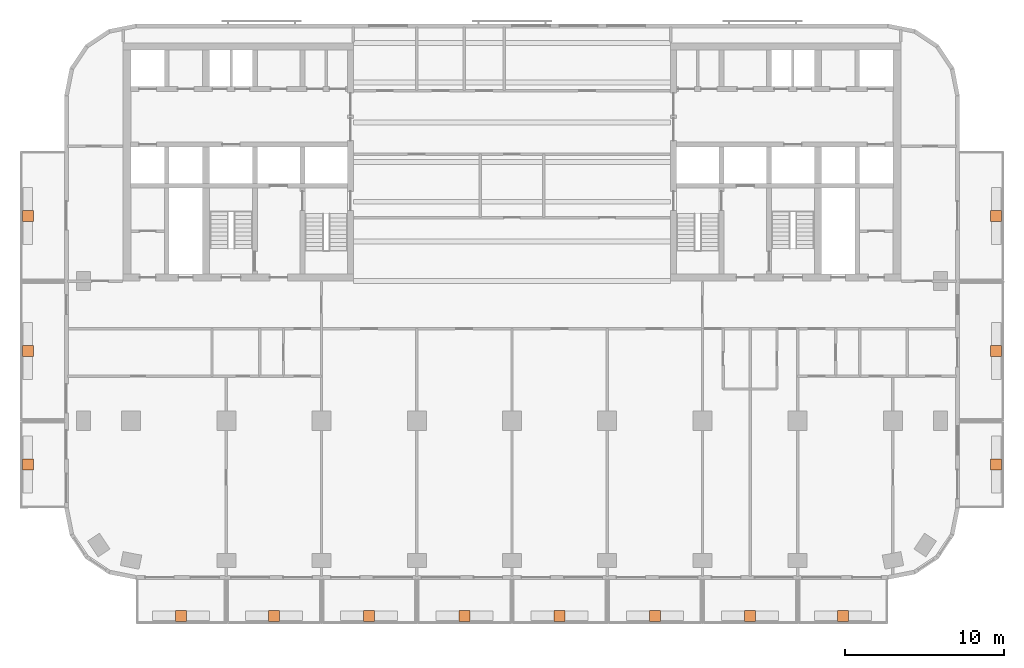
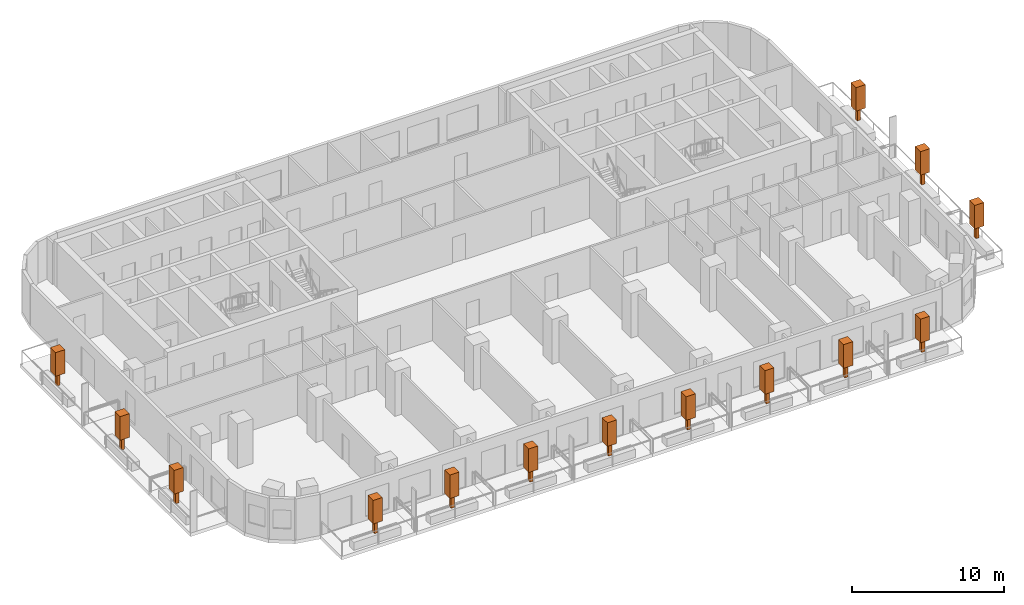
# One storey, part 12 of 12: 14 geographic elements.
"""IFC4 building model written with IfcOpenShell, lengths in metres."""

import ifcopenshell
import ifcopenshell.guid

model = None  # the IFC model being written
_history = None  # IfcOwnerHistory: only IFC2X3 demands one
_inside = {}  # id of a spatial element -> (the spatial element, [elements in it])
_under = {}  # id of a project, library or spatial element -> (it, [spatial elements below it])
_declared = {}  # id of a project -> (the project, [libraries it declares])
_typed = {}  # id of a type object -> (the type object, [elements of that type])
_made_of = {}  # id of a material, layer set ... -> (it, [elements and type objects made of it])


def new_model(schema):
    """Start an empty IFC model of exactly this schema.

    Asked for "IFC4X3", IfcOpenShell would pick the latest addendum, in which some entities
    have other attributes; the version numbers below select the first issue.
    IFC2X3 requires an IfcOwnerHistory on every rooted entity: one is made here for all.
    """
    global model, _history
    if schema == "IFC4X3":
        model = ifcopenshell.file(schema_version=(4, 3, 0, 0))
    else:
        model = ifcopenshell.file(schema=schema)
    _inside.clear()
    _under.clear()
    _declared.clear()
    _typed.clear()
    _made_of.clear()
    _history = None
    if model.schema == "IFC2X3":
        org = make("IfcOrganization", Name="unknown")
        user = make(
            "IfcPersonAndOrganization",
            ThePerson=make("IfcPerson", FamilyName="unknown"),
            TheOrganization=org,
        )
        app = make(
            "IfcApplication",
            ApplicationDeveloper=org,
            Version="unknown",
            ApplicationFullName="unknown",
            ApplicationIdentifier="unknown",
        )
        _history = make(
            "IfcOwnerHistory",
            OwningUser=user,
            OwningApplication=app,
            ChangeAction="ADDED",
            CreationDate=0,
        )
    return model


def make(cls, **values):
    """One entity of the class cls with the attributes given. An attribute that is None is left unset."""
    return model.create_entity(
        cls, **{name: value for name, value in values.items() if value is not None}
    )


def rooted(cls, **values):
    """An entity with a GlobalId (a new one), such as an element, a storey or a relation."""
    return make(cls, GlobalId=ifcopenshell.guid.new(), OwnerHistory=_history, **values)


def si_unit(unit_type, name, prefix=None):
    """IfcSIUnit, for example si_unit("LENGTHUNIT", "METRE", prefix="MILLI")."""
    return make("IfcSIUnit", UnitType=unit_type, Prefix=prefix, Name=name)


def assignment(units):
    """IfcUnitAssignment: the units of a project."""
    return None if units is None else make("IfcUnitAssignment", Units=units)


def point(xyz):
    """IfcCartesianPoint."""
    return None if xyz is None else make("IfcCartesianPoint", Coordinates=xyz)


def direction(xyz):
    """IfcDirection."""
    return None if xyz is None else make("IfcDirection", DirectionRatios=xyz)


def frame(location, z_axis=None, x_axis=None):
    """IfcAxis2Placement3D, a coordinate frame: its origin and axes. An axis left out is left unset."""
    return make(
        "IfcAxis2Placement3D",
        Location=point(location),
        Axis=direction(z_axis),
        RefDirection=direction(x_axis),
    )


def frame_2d(location, x_axis=None):
    """IfcAxis2Placement2D, a coordinate frame in the plane: its origin and x axis."""
    return make(
        "IfcAxis2Placement2D", Location=point(location), RefDirection=direction(x_axis)
    )


def origin():
    """The frame at (0, 0, 0) with its axes left unset."""
    return frame((0.0, 0.0, 0.0))


def origin_2d():
    """The frame at (0, 0) in the plane with its x axis left unset."""
    return frame_2d((0.0, 0.0))


def place(relative_to, where):
    """IfcLocalPlacement: puts the frame where relative to a parent placement (None: the world)."""
    return make(
        "IfcLocalPlacement", PlacementRelTo=relative_to, RelativePlacement=where
    )


def context(
    kind, dimensions, precision=None, world=None, true_north=None, identifier=None
):
    """IfcGeometricRepresentationContext, for example the 3D "Model" context."""
    return make(
        "IfcGeometricRepresentationContext",
        ContextIdentifier=identifier,
        ContextType=kind,
        CoordinateSpaceDimension=dimensions,
        Precision=precision,
        WorldCoordinateSystem=world,
        TrueNorth=true_north,
    )


def subcontext(parent, identifier, kind, view, scale=None):
    """IfcGeometricRepresentationSubContext, for example "Body" below "Model"."""
    return make(
        "IfcGeometricRepresentationSubContext",
        ContextIdentifier=identifier,
        ContextType=kind,
        ParentContext=parent,
        TargetScale=scale,
        TargetView=view,
    )


def project(units=None, contexts=None):
    """IfcProject with its units and contexts."""
    return rooted(
        "IfcProject",
        Name="project",
        RepresentationContexts=contexts,
        UnitsInContext=assignment(units),
    )


def spatial(cls, under=None, at=None, **own):
    """A site, building, storey or space (cls), placed at a placement, below another one or the project."""
    s = rooted(cls, ObjectPlacement=at, **own)
    if under is not None:
        _under.setdefault(under.id(), (under, []))[1].append(s)
    return s


def profile(cls, at=None, kind="AREA", **sizes):
    """A parametric profile (cls). Its sizes go by their IFC names, for example OverallWidth=200.0."""
    return make(cls, ProfileType=kind, Position=at, **sizes)


def rectangle(**sizes):
    """IfcRectangleProfileDef."""
    return profile("IfcRectangleProfileDef", **sizes)


def extrude(swept, where, along, depth):
    """IfcExtrudedAreaSolid: the profile swept, set in the frame where, extruded along a direction by depth."""
    return make(
        "IfcExtrudedAreaSolid",
        SweptArea=swept,
        Position=where,
        ExtrudedDirection=direction(along),
        Depth=depth,
    )


def shape(context_of_items, identifier, shape_type, items):
    """IfcShapeRepresentation: the items that make up one representation, for example the "Body"."""
    return make(
        "IfcShapeRepresentation",
        ContextOfItems=context_of_items,
        RepresentationIdentifier=identifier,
        RepresentationType=shape_type,
        Items=items,
    )


def material(Name=None, Category=None):
    """IfcMaterial."""
    return make("IfcMaterial", Name=Name, Category=Category)


def made_of(thing, what):
    """Note that an element or type object is made of a material, layer set ...; save() writes the relation."""
    if what is not None:
        _made_of.setdefault(what.id(), (what, []))[1].append(thing)
    return thing


def element(
    cls,
    number,
    at=None,
    inside=None,
    cuts=None,
    type_object=None,
    material=None,
    context=None,
    identifier="Body",
    shape_type=None,
    held_by="IfcProductDefinitionShape",
    body=None,
    shapes=None,
    **own,
):
    """One element of the class cls, such as IfcWall. Its Tag is "e" and its number.

    at: its placement. inside: the storey or other place that contains it. cuts: it is an
    opening in that element (IfcRelVoidsElement). A single representation is given by context,
    identifier, shape_type and body (its items); several are given by shapes. held_by: the class
    of the entity that holds the representations. save() writes the other relations.
    """
    e = rooted(cls, Tag="e%d" % number, ObjectPlacement=at, **own)
    if body is not None:
        shapes = [shape(context, identifier, shape_type, body)]
    if shapes is not None:
        e.Representation = make(held_by, Representations=shapes)
    if inside is not None:
        _inside.setdefault(inside.id(), (inside, []))[1].append(e)
    if cuts is not None:
        rooted(
            "IfcRelVoidsElement", RelatingBuildingElement=cuts, RelatedOpeningElement=e
        )
    if type_object is not None:
        _typed.setdefault(type_object.id(), (type_object, []))[1].append(e)
    return made_of(e, material)


def aggregate(whole, parts):
    """IfcRelAggregates: a whole, such as a stair, and the parts it consists of."""
    return rooted("IfcRelAggregates", RelatingObject=whole, RelatedObjects=parts)


def save(model, path):
    """Write the relations noted so far, then the file.

    IfcRelAggregates (storeys below a building ...), IfcRelContainedInSpatialStructure (elements
    in a storey), IfcRelDefinesByType, IfcRelAssociatesMaterial and IfcRelDeclares: one each for
    every whole, place, type object, material and project.
    """
    for whole, parts in _under.values():
        aggregate(whole, parts)
    for where, things in _inside.values():
        rooted(
            "IfcRelContainedInSpatialStructure",
            RelatedElements=things,
            RelatingStructure=where,
        )
    for kind, things in _typed.values():
        rooted("IfcRelDefinesByType", RelatedObjects=things, RelatingType=kind)
    for what, things in _made_of.values():
        rooted("IfcRelAssociatesMaterial", RelatedObjects=things, RelatingMaterial=what)
    for by, libraries in _declared.values():
        rooted("IfcRelDeclares", RelatingContext=by, RelatedDefinitions=libraries)
    model.write(path)


model = new_model("IFC4")

# Units and contexts
model_context = context("Model", 3, precision=1e-05, world=origin(), true_north=direction((0.0, 1.0)))
body_context = subcontext(model_context, "Body", "Model", "MODEL_VIEW")
ifc_project = project(units=[si_unit("LENGTHUNIT", "METRE"), si_unit("AREAUNIT", "SQUARE_METRE"), si_unit("VOLUMEUNIT", "CUBIC_METRE"), si_unit("PLANEANGLEUNIT", "RADIAN"), si_unit("MASSUNIT", "GRAM", prefix="KILO")], contexts=[model_context])

# Site, building, storey
site_placement = place(None, origin())
site = spatial("IfcSite", under=ifc_project, at=site_placement, CompositionType="ELEMENT")
building_placement = place(site_placement, origin())
building = spatial("IfcBuilding", under=site, at=building_placement, Name="Torana Hotel and Residences", CompositionType="ELEMENT")
storey_placement = place(building_placement, frame((0.0, 0.0, 159.60009765625)))
storey = spatial("IfcBuildingStorey", under=building, at=storey_placement, Name="L41", CompositionType="ELEMENT", Elevation=159.60009765625)

# Geographic elements
ifc_material = material(Name="Foliage", Category="planting")
for number, where, z_axis, x_axis, name in (
    (1, (-20.85009765625, -36.10009765625, 0.64990234375), (0.0, 0.0, 1.0), (1.0, 0.0, 0.0), "Tree 01"),
    (2, (-15.0, -36.10009765625, 0.64990234375), (0.0, 0.0, 1.0), (1.0, 0.0, 0.0), "Tree 02"),
    (3, (-9.0, -36.10009765625, 0.64990234375), (0.0, 0.0, 1.0), (1.0, 0.0, 0.0), "Tree 03"),
    (4, (-3.0, -36.10009765625, 0.64990234375), (0.0, 0.0, 1.0), (1.0, 0.0, 0.0), "Tree 04"),
    (5, (3.0, -36.10009765625, 0.64990234375), (0.0, 0.0, 1.0), (1.0, 0.0, 0.0), "Tree 05"),
    (6, (9.0, -36.10009765625, 0.64990234375), (0.0, 0.0, 1.0), (1.0, 0.0, 0.0), "Tree 06"),
    (7, (15.0, -36.10009765625, 0.64990234375), (0.0, 0.0, 1.0), (1.0, 0.0, 0.0), "Tree 07"),
    (8, (20.85009765625, -36.10009765625, 0.64990234375), (0.0, 0.0, 1.0), (1.0, 0.0, 0.0), "Tree 08"),
    (9, (-30.5, -26.550048828125, 0.64990234375), (0.0, 0.0, 1.0), (1.0, 0.0, 0.0), "Tree 09"),
    (10, (-30.5, -19.39990234375, 0.64990234375), (0.0, 0.0, 1.0), (1.0, 0.0, 0.0), "Tree 10"),
    (11, (-30.5, -10.89990234375, 0.64990234375), (0.0, 0.0, 1.0), (1.0, 0.0, 0.0), "Tree 11"),
    (12, (30.5, -26.550048828125, 0.64990234375), (0.0, 0.0, 1.0), (1.0, 0.0, 0.0), "Tree 12"),
    (13, (30.5, -19.39990234375, 0.64990234375), (0.0, 0.0, 1.0), (1.0, 0.0, 0.0), "Tree 13"),
    (14, (30.5, -10.89990234375, 0.64990234375), (0.0, 0.0, 1.0), (1.0, 0.0, 0.0), "Tree 14"),
):
    element("IfcGeographicElement", number, at=place(storey_placement, frame(where, z_axis=z_axis, x_axis=x_axis)), inside=storey, material=ifc_material, Name=name, ObjectType="TREE", PredefinedType="USERDEFINED", context=body_context, shape_type="SweptSolid", body=[
        extrude(rectangle(XDim=0.25, YDim=0.25, at=origin_2d()), origin(), (0.0, 0.0, 1.0), 1.0),
        extrude(rectangle(XDim=0.699951171875, YDim=0.699951171875, at=origin_2d()), frame((0.0, 0.0, 1.0)), (0.0, 0.0, 1.0), 1.89990234375),
    ])

save(model, "model.ifc")
